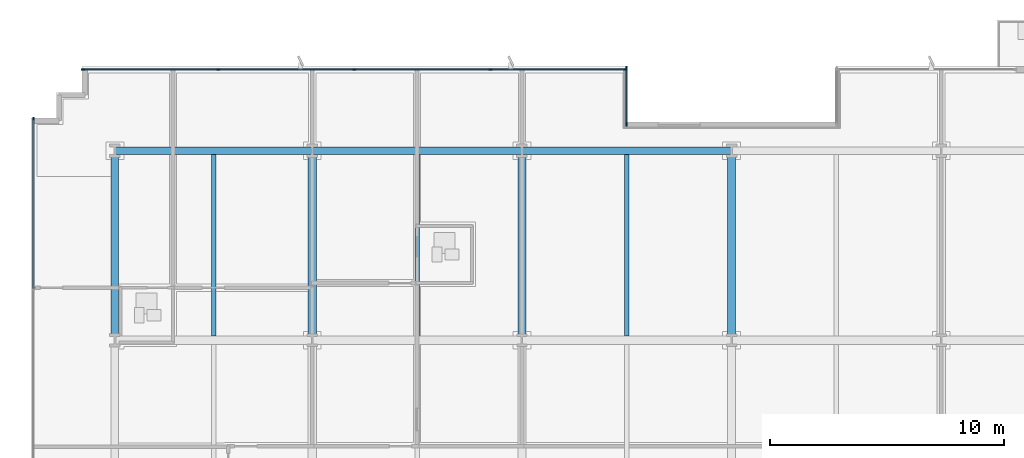
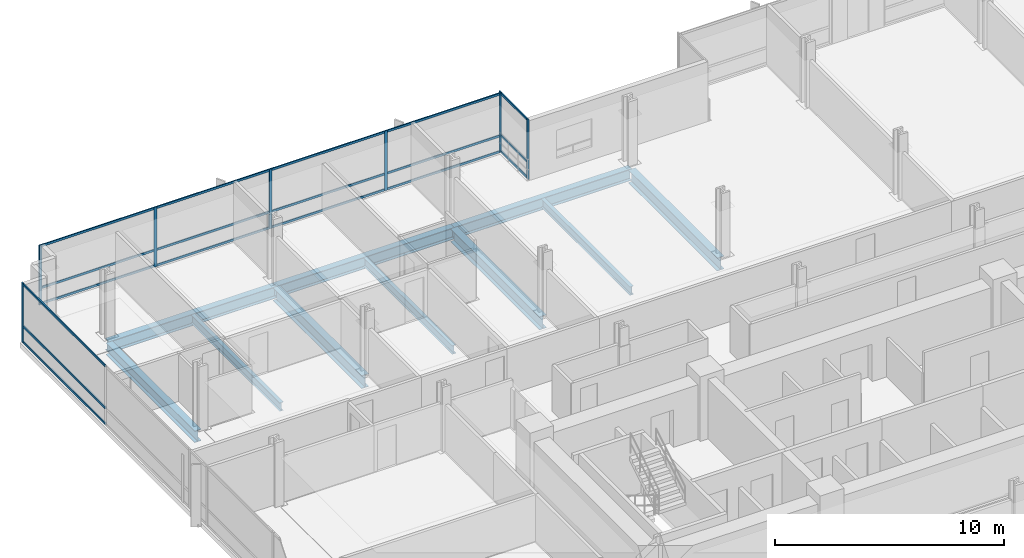
# One storey, part 9 of 20: 26 members, 10 beams, 3 elements without a shape of their own.
"""IFC4 building model written with IfcOpenShell, lengths in metres."""

import ifcopenshell
import ifcopenshell.guid

model = None  # the IFC model being written
_history = None  # IfcOwnerHistory: only IFC2X3 demands one
_inside = {}  # id of a spatial element -> (the spatial element, [elements in it])
_under = {}  # id of a project, library or spatial element -> (it, [spatial elements below it])
_declared = {}  # id of a project -> (the project, [libraries it declares])
_typed = {}  # id of a type object -> (the type object, [elements of that type])
_made_of = {}  # id of a material, layer set ... -> (it, [elements and type objects made of it])


def new_model(schema):
    """Start an empty IFC model of exactly this schema.

    Asked for "IFC4X3", IfcOpenShell would pick the latest addendum, in which some entities
    have other attributes; the version numbers below select the first issue.
    IFC2X3 requires an IfcOwnerHistory on every rooted entity: one is made here for all.
    """
    global model, _history
    if schema == "IFC4X3":
        model = ifcopenshell.file(schema_version=(4, 3, 0, 0))
    else:
        model = ifcopenshell.file(schema=schema)
    _inside.clear()
    _under.clear()
    _declared.clear()
    _typed.clear()
    _made_of.clear()
    _history = None
    if model.schema == "IFC2X3":
        org = make("IfcOrganization", Name="unknown")
        user = make(
            "IfcPersonAndOrganization",
            ThePerson=make("IfcPerson", FamilyName="unknown"),
            TheOrganization=org,
        )
        app = make(
            "IfcApplication",
            ApplicationDeveloper=org,
            Version="unknown",
            ApplicationFullName="unknown",
            ApplicationIdentifier="unknown",
        )
        _history = make(
            "IfcOwnerHistory",
            OwningUser=user,
            OwningApplication=app,
            ChangeAction="ADDED",
            CreationDate=0,
        )
    return model


def make(cls, **values):
    """One entity of the class cls with the attributes given. An attribute that is None is left unset."""
    return model.create_entity(
        cls, **{name: value for name, value in values.items() if value is not None}
    )


def rooted(cls, **values):
    """An entity with a GlobalId (a new one), such as an element, a storey or a relation."""
    return make(cls, GlobalId=ifcopenshell.guid.new(), OwnerHistory=_history, **values)


def si_unit(unit_type, name, prefix=None):
    """IfcSIUnit, for example si_unit("LENGTHUNIT", "METRE", prefix="MILLI")."""
    return make("IfcSIUnit", UnitType=unit_type, Prefix=prefix, Name=name)


def assignment(units):
    """IfcUnitAssignment: the units of a project."""
    return None if units is None else make("IfcUnitAssignment", Units=units)


def point(xyz):
    """IfcCartesianPoint."""
    return None if xyz is None else make("IfcCartesianPoint", Coordinates=xyz)


def direction(xyz):
    """IfcDirection."""
    return None if xyz is None else make("IfcDirection", DirectionRatios=xyz)


def frame(location, z_axis=None, x_axis=None):
    """IfcAxis2Placement3D, a coordinate frame: its origin and axes. An axis left out is left unset."""
    return make(
        "IfcAxis2Placement3D",
        Location=point(location),
        Axis=direction(z_axis),
        RefDirection=direction(x_axis),
    )


def frame_2d(location, x_axis=None):
    """IfcAxis2Placement2D, a coordinate frame in the plane: its origin and x axis."""
    return make(
        "IfcAxis2Placement2D", Location=point(location), RefDirection=direction(x_axis)
    )


def origin():
    """The frame at (0, 0, 0) with its axes left unset."""
    return frame((0.0, 0.0, 0.0))


def origin_2d():
    """The frame at (0, 0) in the plane with its x axis left unset."""
    return frame_2d((0.0, 0.0))


def place(relative_to, where):
    """IfcLocalPlacement: puts the frame where relative to a parent placement (None: the world)."""
    return make(
        "IfcLocalPlacement", PlacementRelTo=relative_to, RelativePlacement=where
    )


def context(
    kind, dimensions, precision=None, world=None, true_north=None, identifier=None
):
    """IfcGeometricRepresentationContext, for example the 3D "Model" context."""
    return make(
        "IfcGeometricRepresentationContext",
        ContextIdentifier=identifier,
        ContextType=kind,
        CoordinateSpaceDimension=dimensions,
        Precision=precision,
        WorldCoordinateSystem=world,
        TrueNorth=true_north,
    )


def subcontext(parent, identifier, kind, view, scale=None):
    """IfcGeometricRepresentationSubContext, for example "Body" below "Model"."""
    return make(
        "IfcGeometricRepresentationSubContext",
        ContextIdentifier=identifier,
        ContextType=kind,
        ParentContext=parent,
        TargetScale=scale,
        TargetView=view,
    )


def project(units=None, contexts=None):
    """IfcProject with its units and contexts."""
    return rooted(
        "IfcProject",
        Name="project",
        RepresentationContexts=contexts,
        UnitsInContext=assignment(units),
    )


def spatial(cls, under=None, at=None, **own):
    """A site, building, storey or space (cls), placed at a placement, below another one or the project."""
    s = rooted(cls, ObjectPlacement=at, **own)
    if under is not None:
        _under.setdefault(under.id(), (under, []))[1].append(s)
    return s


def profile(cls, at=None, kind="AREA", **sizes):
    """A parametric profile (cls). Its sizes go by their IFC names, for example OverallWidth=200.0."""
    return make(cls, ProfileType=kind, Position=at, **sizes)


def rectangle(**sizes):
    """IfcRectangleProfileDef."""
    return profile("IfcRectangleProfileDef", **sizes)


def i_section(**sizes):
    """IfcIShapeProfileDef."""
    return profile("IfcIShapeProfileDef", **sizes)


def extrude(swept, where, along, depth):
    """IfcExtrudedAreaSolid: the profile swept, set in the frame where, extruded along a direction by depth."""
    return make(
        "IfcExtrudedAreaSolid",
        SweptArea=swept,
        Position=where,
        ExtrudedDirection=direction(along),
        Depth=depth,
    )


def shape(context_of_items, identifier, shape_type, items):
    """IfcShapeRepresentation: the items that make up one representation, for example the "Body"."""
    return make(
        "IfcShapeRepresentation",
        ContextOfItems=context_of_items,
        RepresentationIdentifier=identifier,
        RepresentationType=shape_type,
        Items=items,
    )


def material(Name=None, Category=None):
    """IfcMaterial."""
    return make("IfcMaterial", Name=Name, Category=Category)


def material_profile(
    of_material, cross_section, Name=None, Category=None, Priority=None
):
    """IfcMaterialProfile: a cross section and its material."""
    return make(
        "IfcMaterialProfile",
        Name=Name,
        Material=of_material,
        Profile=cross_section,
        Priority=Priority,
        Category=Category,
    )


def profile_set(profiles, Name=None, composite=None):
    """IfcMaterialProfileSet."""
    return make(
        "IfcMaterialProfileSet",
        Name=Name,
        MaterialProfiles=profiles,
        CompositeProfile=composite,
    )


def made_of(thing, what):
    """Note that an element or type object is made of a material, layer set ...; save() writes the relation."""
    if what is not None:
        _made_of.setdefault(what.id(), (what, []))[1].append(thing)
    return thing


def type_object(cls, material=None, **own):
    """A type object (cls), such as IfcWallType, which elements share."""
    return made_of(rooted(cls, **own), material)


def element(
    cls,
    number,
    at=None,
    inside=None,
    cuts=None,
    type_object=None,
    material=None,
    context=None,
    identifier="Body",
    shape_type=None,
    held_by="IfcProductDefinitionShape",
    body=None,
    shapes=None,
    **own,
):
    """One element of the class cls, such as IfcWall. Its Tag is "e" and its number.

    at: its placement. inside: the storey or other place that contains it. cuts: it is an
    opening in that element (IfcRelVoidsElement). A single representation is given by context,
    identifier, shape_type and body (its items); several are given by shapes. held_by: the class
    of the entity that holds the representations. save() writes the other relations.
    """
    e = rooted(cls, Tag="e%d" % number, ObjectPlacement=at, **own)
    if body is not None:
        shapes = [shape(context, identifier, shape_type, body)]
    if shapes is not None:
        e.Representation = make(held_by, Representations=shapes)
    if inside is not None:
        _inside.setdefault(inside.id(), (inside, []))[1].append(e)
    if cuts is not None:
        rooted(
            "IfcRelVoidsElement", RelatingBuildingElement=cuts, RelatedOpeningElement=e
        )
    if type_object is not None:
        _typed.setdefault(type_object.id(), (type_object, []))[1].append(e)
    return made_of(e, material)


def aggregate(whole, parts):
    """IfcRelAggregates: a whole, such as a stair, and the parts it consists of."""
    return rooted("IfcRelAggregates", RelatingObject=whole, RelatedObjects=parts)


def save(model, path):
    """Write the relations noted so far, then the file.

    IfcRelAggregates (storeys below a building ...), IfcRelContainedInSpatialStructure (elements
    in a storey), IfcRelDefinesByType, IfcRelAssociatesMaterial and IfcRelDeclares: one each for
    every whole, place, type object, material and project.
    """
    for whole, parts in _under.values():
        aggregate(whole, parts)
    for where, things in _inside.values():
        rooted(
            "IfcRelContainedInSpatialStructure",
            RelatedElements=things,
            RelatingStructure=where,
        )
    for kind, things in _typed.values():
        rooted("IfcRelDefinesByType", RelatedObjects=things, RelatingType=kind)
    for what, things in _made_of.values():
        rooted("IfcRelAssociatesMaterial", RelatedObjects=things, RelatingMaterial=what)
    for by, libraries in _declared.values():
        rooted("IfcRelDeclares", RelatingContext=by, RelatedDefinitions=libraries)
    model.write(path)


model = new_model("IFC4")

# Units and contexts
model_context = context("Model", 3, precision=1e-05, world=origin(), true_north=direction((0.0, 1.0)))
body_context = subcontext(model_context, "Body", "Model", "MODEL_VIEW")
ifc_project = project(units=[si_unit("LENGTHUNIT", "METRE"), si_unit("AREAUNIT", "SQUARE_METRE"), si_unit("VOLUMEUNIT", "CUBIC_METRE"), si_unit("PLANEANGLEUNIT", "RADIAN"), si_unit("MASSUNIT", "GRAM", prefix="KILO")], contexts=[model_context])

# Site, building, storey
site_placement = place(None, origin())
site = spatial("IfcSite", under=ifc_project, at=site_placement, CompositionType="ELEMENT")
building_placement = place(site_placement, origin())
building = spatial("IfcBuilding", under=site, at=building_placement, Name="Solmavex Isthmus Hotel", CompositionType="ELEMENT")
storey_placement = place(building_placement, frame((0.0, 0.0, 57.449951171875)))
storey = spatial("IfcBuildingStorey", under=building, at=storey_placement, Name="L15", CompositionType="ELEMENT", Elevation=57.449951171875)

# Beams
ifc_material_1 = material(Name="Steel ASTM A992 Grade 50", Category="steel")
ifc_material_profile_1 = material_profile(ifc_material_1, i_section(OverallWidth=0.354736328125, OverallDepth=0.695556640625, WebThickness=0.015380859375, FlangeThickness=0.02490234375, FilletRadius=0.017822265625, at=origin_2d()), Name="W27X146")
ifc_profile_set_1 = profile_set([ifc_material_profile_1], Name="Steel ASTM A992 Grade 50")
beam_type_1 = type_object("IfcBeamType", Name="BM-BG-W27X146", PredefinedType="BEAM", material=ifc_profile_set_1)
for number, where, z_axis, x_axis, name in (
    (1, (-17.951904296875, 8.96533203125, -0.607666015625), (0.0, 1.0, 0.0), (-1.0, 0.0, 0.0), "Floor Beam L15-VG30"),
    (2, (-8.97607421875, 8.96533203125, -0.607666015625), (0.0, 1.0, 0.0), (-1.0, 0.0, 0.0), "Floor Beam L15-VG34"),
    (3, (0.0, 8.96533203125, -0.607666015625), (0.0, 1.0, 0.0), (-1.0, 0.0, 0.0), "Floor Beam L15-VG38"),
):
    element("IfcBeam", number, at=place(storey_placement, frame(where, z_axis=z_axis, x_axis=x_axis)), inside=storey, type_object=beam_type_1, Name=name, PredefinedType="BEAM", context=body_context, shape_type="SweptSolid", body=[
        extrude(i_section(OverallWidth=0.354736328125, OverallDepth=0.695556640625, WebThickness=0.015380859375, FlangeThickness=0.02490234375, FilletRadius=0.017822265625, at=origin_2d()), origin(), (0.0, 0.0, 1.0), 7.771484375),
    ])
ifc_material_profile_2 = material_profile(ifc_material_1, i_section(OverallWidth=0.1904296875, OverallDepth=0.456787109375, WebThickness=0.009033203125, FlangeThickness=0.014404296875, FilletRadius=0.0126953125, at=origin_2d()), Name="W18X50")
ifc_profile_set_2 = profile_set([ifc_material_profile_2], Name="Steel ASTM A992 Grade 50")
beam_type_2 = type_object("IfcBeamType", Name="BM-BJ-W18X50", PredefinedType="JOIST", material=ifc_profile_set_2)
for number, where, z_axis, x_axis, name in (
    (4, (-22.176025390625, 8.96533203125, -0.48828125), (0.0, 1.0, 0.0), (-1.0, 0.0, 0.0), "Secondary Floor Joist L15-J03"),
    (5, (-13.464111328125, 8.96533203125, -0.48828125), (0.0, 1.0, 0.0), (-1.0, 0.0, 0.0), "Secondary Floor Joist L15-J07"),
    (6, (-4.488037109375, 8.96533203125, -0.48828125), (0.0, 1.0, 0.0), (-1.0, 0.0, 0.0), "Secondary Floor Joist L15-J11"),
):
    element("IfcBeam", number, at=place(storey_placement, frame(where, z_axis=z_axis, x_axis=x_axis)), inside=storey, type_object=beam_type_2, Name=name, PredefinedType="JOIST", context=body_context, shape_type="SweptSolid", body=[
        extrude(i_section(OverallWidth=0.1904296875, OverallDepth=0.456787109375, WebThickness=0.009033203125, FlangeThickness=0.014404296875, FilletRadius=0.0126953125, at=origin_2d()), origin(), (0.0, 0.0, 1.0), 7.771484375),
    ])
ifc_material_profile_3 = material_profile(ifc_material_1, i_section(OverallWidth=0.326416015625, OverallDepth=0.621826171875, WebThickness=0.015380859375, FlangeThickness=0.0244140625, FilletRadius=0.01513671875, at=origin_2d()), Name="W24X131")
ifc_profile_set_3 = profile_set([ifc_material_profile_3], Name="Steel ASTM A992 Grade 50")
beam_type_3 = type_object("IfcBeamType", Name="BM-SP-W24X131", PredefinedType="SPANDREL", material=ifc_profile_set_3)
beam_1_placement = place(storey_placement, frame((-26.39990234375, 16.89990234375, -0.57080078125), z_axis=(1.0, 0.0, 0.0), x_axis=(0.0, 1.0, 0.0)))
element("IfcBeam", 7, at=beam_1_placement, inside=storey, type_object=beam_type_3, Name="Floor Girder L15-UG19", PredefinedType="SPANDREL", context=body_context, shape_type="SweptSolid", body=[
    extrude(i_section(OverallWidth=0.326416015625, OverallDepth=0.621826171875, WebThickness=0.015380859375, FlangeThickness=0.0244140625, FilletRadius=0.01513671875, at=origin_2d()), origin(), (0.0, 0.0, 1.0), 8.447998046875),
])
beam_2_placement = place(storey_placement, frame((-17.951904296875, 16.89990234375, -0.57080078125), z_axis=(1.0, 0.0, 0.0), x_axis=(0.0, 1.0, 0.0)))
element("IfcBeam", 8, at=beam_2_placement, inside=storey, type_object=beam_type_3, Name="Floor Girder L15-UG20", PredefinedType="SPANDREL", context=body_context, shape_type="SweptSolid", body=[
    extrude(i_section(OverallWidth=0.326416015625, OverallDepth=0.621826171875, WebThickness=0.015380859375, FlangeThickness=0.0244140625, FilletRadius=0.01513671875, at=origin_2d()), origin(), (0.0, 0.0, 1.0), 8.975830078125),
])
beam_3_placement = place(storey_placement, frame((-8.97607421875, 16.89990234375, -0.57080078125), z_axis=(1.0, 0.0, 0.0), x_axis=(0.0, 1.0, 0.0)))
element("IfcBeam", 9, at=beam_3_placement, inside=storey, type_object=beam_type_3, Name="Floor Girder L15-UG21", PredefinedType="SPANDREL", context=body_context, shape_type="SweptSolid", body=[
    extrude(i_section(OverallWidth=0.326416015625, OverallDepth=0.621826171875, WebThickness=0.015380859375, FlangeThickness=0.0244140625, FilletRadius=0.01513671875, at=origin_2d()), origin(), (0.0, 0.0, 1.0), 8.97607421875),
])
beam_4_placement = place(storey_placement, frame((-26.39990234375, 8.96533203125, -0.57080078125), z_axis=(0.0, 1.0, 0.0), x_axis=(-1.0, 0.0, 0.0)))
element("IfcBeam", 10, at=beam_4_placement, inside=storey, type_object=beam_type_3, Name="Floor Beam L15-VG27", PredefinedType="SPANDREL", context=body_context, shape_type="SweptSolid", body=[
    extrude(i_section(OverallWidth=0.326416015625, OverallDepth=0.621826171875, WebThickness=0.015380859375, FlangeThickness=0.0244140625, FilletRadius=0.01513671875, at=origin_2d()), origin(), (0.0, 0.0, 1.0), 7.771484375),
])

# Curtain wall, members
ifc_material_2 = material(Name="Aluminium alloy 6063-T6", Category="aluminium")
curtain_wall_type = type_object("IfcCurtainWallType", Name="CW-SYS-06", PredefinedType="NOTDEFINED", material=ifc_material_2)
curtain_wall_1_placement = place(storey_placement, origin())
curtain_wall_1 = element("IfcCurtainWall", 11, at=curtain_wall_1_placement, inside=storey, type_object=curtain_wall_type, Name="Stick Curtain Wall CWL-L15-SGW", PredefinedType="NOTDEFINED")
ifc_material_profile_4 = material_profile(ifc_material_2, rectangle(XDim=0.06005859375, YDim=0.139892578125, at=origin_2d()), Name="CWM-60X140")
ifc_profile_set_4 = profile_set([ifc_material_profile_4], Name="Aluminium alloy 6063-T6")
member_type_1 = type_object("IfcMemberType", Name="CW-SYS-06-MUL", PredefinedType="MULLION", material=ifc_profile_set_4)
member_1_placement = place(storey_placement, frame((-4.5, 18.030029296875, 0.0), z_axis=(0.0, 0.0, 1.0), x_axis=(-1.0, 0.0, 0.0)))
member_1 = element("IfcMember", 12, at=member_1_placement, type_object=member_type_1, Name="CW-06 mullion 1", PredefinedType="MULLION", context=body_context, shape_type="SweptSolid", body=[
    extrude(rectangle(XDim=0.06005859375, YDim=0.139892578125, at=origin_2d()), origin(), (0.0, 0.0, 1.0), 3.18994140625),
])
member_2_placement = place(storey_placement, frame((-4.5, 20.449951171875, 0.0), z_axis=(0.0, 0.0, 1.0), x_axis=(-1.0, 0.0, 0.0)))
member_2 = element("IfcMember", 13, at=member_2_placement, type_object=member_type_1, Name="CW-06 mullion 2", PredefinedType="MULLION", context=body_context, shape_type="SweptSolid", body=[
    extrude(rectangle(XDim=0.06005859375, YDim=0.139892578125, at=origin_2d()), origin(), (0.0, 0.0, 1.0), 3.18994140625),
])

curtain_wall_2_placement = place(storey_placement, origin())
curtain_wall_2 = element("IfcCurtainWall", 14, at=curtain_wall_2_placement, inside=storey, type_object=curtain_wall_type, Name="Stick Curtain Wall CWL-L15-N1", PredefinedType="NOTDEFINED")
member_3_placement = place(storey_placement, frame((-27.77001953125, 20.3798828125, 0.0), z_axis=(0.0, 0.0, 1.0), x_axis=(0.0, 1.0, 0.0)))
member_3 = element("IfcMember", 15, at=member_3_placement, type_object=member_type_1, Name="CW-06 mullion 1", PredefinedType="MULLION", context=body_context, shape_type="SweptSolid", body=[
    extrude(rectangle(XDim=0.06005859375, YDim=0.139892578125, at=origin_2d()), origin(), (0.0, 0.0, 1.0), 3.18994140625),
])
member_4_placement = place(storey_placement, frame((-21.97509765625, 20.3798828125, 0.0), z_axis=(0.0, 0.0, 1.0), x_axis=(0.0, 1.0, 0.0)))
member_4 = element("IfcMember", 16, at=member_4_placement, type_object=member_type_1, Name="CW-06 mullion 2", PredefinedType="MULLION", context=body_context, shape_type="SweptSolid", body=[
    extrude(rectangle(XDim=0.06005859375, YDim=0.139892578125, at=origin_2d()), origin(), (0.0, 0.0, 1.0), 3.18994140625),
])
member_5_placement = place(storey_placement, frame((-16.14990234375, 20.3798828125, 0.0), z_axis=(0.0, 0.0, 1.0), x_axis=(0.0, 1.0, 0.0)))
member_5 = element("IfcMember", 17, at=member_5_placement, type_object=member_type_1, Name="CW-06 mullion 3", PredefinedType="MULLION", context=body_context, shape_type="SweptSolid", body=[
    extrude(rectangle(XDim=0.06005859375, YDim=0.139892578125, at=origin_2d()), origin(), (0.0, 0.0, 1.0), 3.18994140625),
])
member_6_placement = place(storey_placement, frame((-10.324951171875, 20.3798828125, 0.0), z_axis=(0.0, 0.0, 1.0), x_axis=(0.0, 1.0, 0.0)))
member_6 = element("IfcMember", 18, at=member_6_placement, type_object=member_type_1, Name="CW-06 mullion 4", PredefinedType="MULLION", context=body_context, shape_type="SweptSolid", body=[
    extrude(rectangle(XDim=0.06005859375, YDim=0.139892578125, at=origin_2d()), origin(), (0.0, 0.0, 1.0), 3.18994140625),
])
member_7_placement = place(storey_placement, frame((-4.530029296875, 20.3798828125, 0.0), z_axis=(0.0, 0.0, 1.0), x_axis=(0.0, 1.0, 0.0)))
member_7 = element("IfcMember", 19, at=member_7_placement, type_object=member_type_1, Name="CW-06 mullion 5", PredefinedType="MULLION", context=body_context, shape_type="SweptSolid", body=[
    extrude(rectangle(XDim=0.06005859375, YDim=0.139892578125, at=origin_2d()), origin(), (0.0, 0.0, 1.0), 3.18994140625),
])

# Curtain wall, member
curtain_wall_3_placement = place(storey_placement, origin())
curtain_wall_3 = element("IfcCurtainWall", 20, at=curtain_wall_3_placement, inside=storey, type_object=curtain_wall_type, Name="Stick Curtain Wall CWL-L15-W1", PredefinedType="NOTDEFINED")
member_8_placement = place(storey_placement, frame((-29.8798828125, 18.27001953125, 0.0), z_axis=(0.0, 0.0, 1.0), x_axis=(-1.0, 0.0, 0.0)))
member_8 = element("IfcMember", 21, at=member_8_placement, type_object=member_type_1, Name="CW-06 mullion 6", PredefinedType="MULLION", context=body_context, shape_type="SweptSolid", body=[
    extrude(rectangle(XDim=0.06005859375, YDim=0.139892578125, at=origin_2d()), origin(), (0.0, 0.0, 1.0), 3.18994140625),
])

# Member
ifc_material_profile_5 = material_profile(ifc_material_2, rectangle(XDim=0.06005859375, YDim=0.114990234375, at=origin_2d()), Name="CWT-60X115")
ifc_profile_set_5 = profile_set([ifc_material_profile_5], Name="Aluminium alloy 6063-T6")
member_type_2 = type_object("IfcMemberType", Name="CW-SYS-06-TRN", PredefinedType="USERDEFINED", material=ifc_profile_set_5)
member_9_placement = place(storey_placement, frame((-4.5, 18.06005859375, 0.0576171875), z_axis=(0.0, 1.0, 0.0), x_axis=(-1.0, 0.0, 0.0)))
member_9 = element("IfcMember", 22, at=member_9_placement, type_object=member_type_2, Name="CW-06 transom 1.1", ObjectType="TRANSOM", PredefinedType="USERDEFINED", context=body_context, shape_type="SweptSolid", body=[
    extrude(rectangle(XDim=0.06005859375, YDim=0.114990234375, at=origin_2d()), origin(), (0.0, 0.0, 1.0), 2.35986328125),
])

member_10_placement = place(storey_placement, frame((-4.5, 18.06005859375, 0.900146484375), z_axis=(0.0, 1.0, 0.0), x_axis=(-1.0, 0.0, 0.0)))
member_10 = element("IfcMember", 23, at=member_10_placement, type_object=member_type_2, Name="CW-06 transom 1.2", ObjectType="TRANSOM", PredefinedType="USERDEFINED", context=body_context, shape_type="SweptSolid", body=[
    extrude(rectangle(XDim=0.06005859375, YDim=0.114990234375, at=origin_2d()), origin(), (0.0, 0.0, 1.0), 2.35986328125),
])

member_11_placement = place(storey_placement, frame((-4.5, 18.06005859375, 3.132568359375), z_axis=(0.0, 1.0, 0.0), x_axis=(-1.0, 0.0, 0.0)))
member_11 = element("IfcMember", 24, at=member_11_placement, type_object=member_type_2, Name="CW-06 transom 1.3", ObjectType="TRANSOM", PredefinedType="USERDEFINED", context=body_context, shape_type="SweptSolid", body=[
    extrude(rectangle(XDim=0.06005859375, YDim=0.114990234375, at=origin_2d()), origin(), (0.0, 0.0, 1.0), 2.35986328125),
])

aggregate(curtain_wall_1, [member_1, member_2, member_9, member_10, member_11])

member_12_placement = place(storey_placement, frame((-27.739990234375, 20.3798828125, 0.0576171875), z_axis=(1.0, 0.0, 0.0), x_axis=(0.0, 1.0, 0.0)))
member_12 = element("IfcMember", 25, at=member_12_placement, type_object=member_type_2, Name="CW-06 transom 1.1", ObjectType="TRANSOM", PredefinedType="USERDEFINED", context=body_context, shape_type="SweptSolid", body=[
    extrude(rectangle(XDim=0.06005859375, YDim=0.114990234375, at=origin_2d()), origin(), (0.0, 0.0, 1.0), 5.735107421875),
])

member_13_placement = place(storey_placement, frame((-27.739990234375, 20.3798828125, 0.900146484375), z_axis=(1.0, 0.0, 0.0), x_axis=(0.0, 1.0, 0.0)))
member_13 = element("IfcMember", 26, at=member_13_placement, type_object=member_type_2, Name="CW-06 transom 1.2", ObjectType="TRANSOM", PredefinedType="USERDEFINED", context=body_context, shape_type="SweptSolid", body=[
    extrude(rectangle(XDim=0.06005859375, YDim=0.114990234375, at=origin_2d()), origin(), (0.0, 0.0, 1.0), 5.735107421875),
])

member_14_placement = place(storey_placement, frame((-27.739990234375, 20.3798828125, 3.132568359375), z_axis=(1.0, 0.0, 0.0), x_axis=(0.0, 1.0, 0.0)))
member_14 = element("IfcMember", 27, at=member_14_placement, type_object=member_type_2, Name="CW-06 transom 1.3", ObjectType="TRANSOM", PredefinedType="USERDEFINED", context=body_context, shape_type="SweptSolid", body=[
    extrude(rectangle(XDim=0.06005859375, YDim=0.114990234375, at=origin_2d()), origin(), (0.0, 0.0, 1.0), 5.735107421875),
])

member_15_placement = place(storey_placement, frame((-21.945068359375, 20.3798828125, 0.0576171875), z_axis=(1.0, 0.0, 0.0), x_axis=(0.0, 1.0, 0.0)))
member_15 = element("IfcMember", 28, at=member_15_placement, type_object=member_type_2, Name="CW-06 transom 2.1", ObjectType="TRANSOM", PredefinedType="USERDEFINED", context=body_context, shape_type="SweptSolid", body=[
    extrude(rectangle(XDim=0.06005859375, YDim=0.114990234375, at=origin_2d()), origin(), (0.0, 0.0, 1.0), 5.76513671875),
])

member_16_placement = place(storey_placement, frame((-21.945068359375, 20.3798828125, 0.900146484375), z_axis=(1.0, 0.0, 0.0), x_axis=(0.0, 1.0, 0.0)))
member_16 = element("IfcMember", 29, at=member_16_placement, type_object=member_type_2, Name="CW-06 transom 2.2", ObjectType="TRANSOM", PredefinedType="USERDEFINED", context=body_context, shape_type="SweptSolid", body=[
    extrude(rectangle(XDim=0.06005859375, YDim=0.114990234375, at=origin_2d()), origin(), (0.0, 0.0, 1.0), 5.76513671875),
])

member_17_placement = place(storey_placement, frame((-21.945068359375, 20.3798828125, 3.132568359375), z_axis=(1.0, 0.0, 0.0), x_axis=(0.0, 1.0, 0.0)))
member_17 = element("IfcMember", 30, at=member_17_placement, type_object=member_type_2, Name="CW-06 transom 2.3", ObjectType="TRANSOM", PredefinedType="USERDEFINED", context=body_context, shape_type="SweptSolid", body=[
    extrude(rectangle(XDim=0.06005859375, YDim=0.114990234375, at=origin_2d()), origin(), (0.0, 0.0, 1.0), 5.76513671875),
])

member_18_placement = place(storey_placement, frame((-16.1201171875, 20.3798828125, 0.0576171875), z_axis=(1.0, 0.0, 0.0), x_axis=(0.0, 1.0, 0.0)))
member_18 = element("IfcMember", 31, at=member_18_placement, type_object=member_type_2, Name="CW-06 transom 3.1", ObjectType="TRANSOM", PredefinedType="USERDEFINED", context=body_context, shape_type="SweptSolid", body=[
    extrude(rectangle(XDim=0.06005859375, YDim=0.114990234375, at=origin_2d()), origin(), (0.0, 0.0, 1.0), 5.76513671875),
])

member_19_placement = place(storey_placement, frame((-16.1201171875, 20.3798828125, 0.900146484375), z_axis=(1.0, 0.0, 0.0), x_axis=(0.0, 1.0, 0.0)))
member_19 = element("IfcMember", 32, at=member_19_placement, type_object=member_type_2, Name="CW-06 transom 3.2", ObjectType="TRANSOM", PredefinedType="USERDEFINED", context=body_context, shape_type="SweptSolid", body=[
    extrude(rectangle(XDim=0.06005859375, YDim=0.114990234375, at=origin_2d()), origin(), (0.0, 0.0, 1.0), 5.76513671875),
])

member_20_placement = place(storey_placement, frame((-16.1201171875, 20.3798828125, 3.132568359375), z_axis=(1.0, 0.0, 0.0), x_axis=(0.0, 1.0, 0.0)))
member_20 = element("IfcMember", 33, at=member_20_placement, type_object=member_type_2, Name="CW-06 transom 3.3", ObjectType="TRANSOM", PredefinedType="USERDEFINED", context=body_context, shape_type="SweptSolid", body=[
    extrude(rectangle(XDim=0.06005859375, YDim=0.114990234375, at=origin_2d()), origin(), (0.0, 0.0, 1.0), 5.76513671875),
])

member_21_placement = place(storey_placement, frame((-10.294921875, 20.3798828125, 0.0576171875), z_axis=(1.0, 0.0, 0.0), x_axis=(0.0, 1.0, 0.0)))
member_21 = element("IfcMember", 34, at=member_21_placement, type_object=member_type_2, Name="CW-06 transom 4.1", ObjectType="TRANSOM", PredefinedType="USERDEFINED", context=body_context, shape_type="SweptSolid", body=[
    extrude(rectangle(XDim=0.06005859375, YDim=0.114990234375, at=origin_2d()), origin(), (0.0, 0.0, 1.0), 5.73486328125),
])

member_22_placement = place(storey_placement, frame((-10.294921875, 20.3798828125, 0.900146484375), z_axis=(1.0, 0.0, 0.0), x_axis=(0.0, 1.0, 0.0)))
member_22 = element("IfcMember", 35, at=member_22_placement, type_object=member_type_2, Name="CW-06 transom 4.2", ObjectType="TRANSOM", PredefinedType="USERDEFINED", context=body_context, shape_type="SweptSolid", body=[
    extrude(rectangle(XDim=0.06005859375, YDim=0.114990234375, at=origin_2d()), origin(), (0.0, 0.0, 1.0), 5.73486328125),
])

member_23_placement = place(storey_placement, frame((-10.294921875, 20.3798828125, 3.132568359375), z_axis=(1.0, 0.0, 0.0), x_axis=(0.0, 1.0, 0.0)))
member_23 = element("IfcMember", 36, at=member_23_placement, type_object=member_type_2, Name="CW-06 transom 4.3", ObjectType="TRANSOM", PredefinedType="USERDEFINED", context=body_context, shape_type="SweptSolid", body=[
    extrude(rectangle(XDim=0.06005859375, YDim=0.114990234375, at=origin_2d()), origin(), (0.0, 0.0, 1.0), 5.73486328125),
])

aggregate(curtain_wall_2, [member_3, member_4, member_5, member_6, member_7, member_12, member_13, member_14, member_15, member_16, member_17, member_18, member_19, member_20, member_21, member_22, member_23])

member_24_placement = place(storey_placement, frame((-29.8798828125, 11.010009765625, 0.0576171875), z_axis=(0.0, 1.0, 0.0), x_axis=(-1.0, 0.0, 0.0)))
member_24 = element("IfcMember", 37, at=member_24_placement, type_object=member_type_2, Name="CW-06 transom 5.1", ObjectType="TRANSOM", PredefinedType="USERDEFINED", context=body_context, shape_type="SweptSolid", body=[
    extrude(rectangle(XDim=0.06005859375, YDim=0.114990234375, at=origin_2d()), origin(), (0.0, 0.0, 1.0), 7.22998046875),
])

member_25_placement = place(storey_placement, frame((-29.8798828125, 11.010009765625, 0.900146484375), z_axis=(0.0, 1.0, 0.0), x_axis=(-1.0, 0.0, 0.0)))
member_25 = element("IfcMember", 38, at=member_25_placement, type_object=member_type_2, Name="CW-06 transom 5.2", ObjectType="TRANSOM", PredefinedType="USERDEFINED", context=body_context, shape_type="SweptSolid", body=[
    extrude(rectangle(XDim=0.06005859375, YDim=0.114990234375, at=origin_2d()), origin(), (0.0, 0.0, 1.0), 7.22998046875),
])

member_26_placement = place(storey_placement, frame((-29.8798828125, 11.010009765625, 3.132568359375), z_axis=(0.0, 1.0, 0.0), x_axis=(-1.0, 0.0, 0.0)))
member_26 = element("IfcMember", 39, at=member_26_placement, type_object=member_type_2, Name="CW-06 transom 5.3", ObjectType="TRANSOM", PredefinedType="USERDEFINED", context=body_context, shape_type="SweptSolid", body=[
    extrude(rectangle(XDim=0.06005859375, YDim=0.114990234375, at=origin_2d()), origin(), (0.0, 0.0, 1.0), 7.22998046875),
])

aggregate(curtain_wall_3, [member_8, member_24, member_25, member_26])

save(model, "model.ifc")
